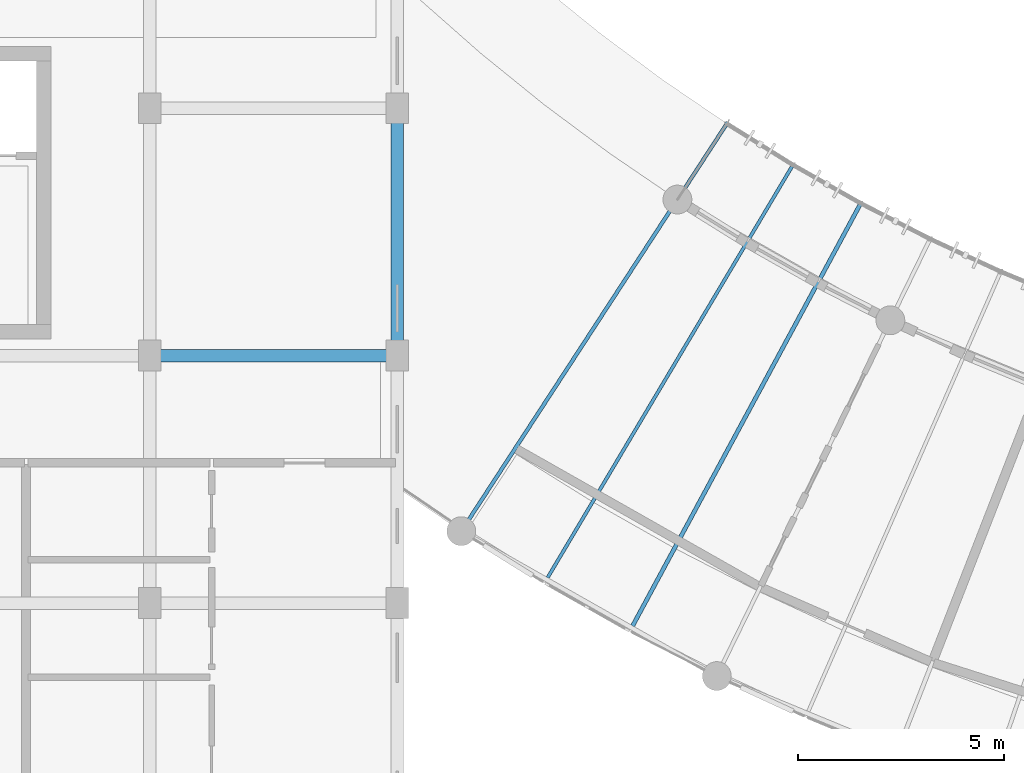
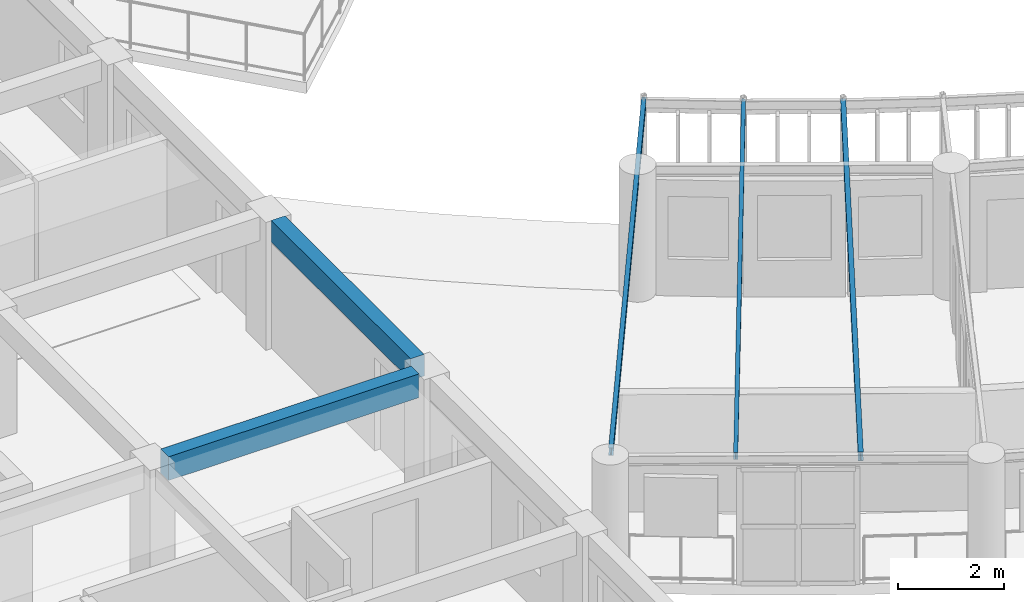
# One storey, part 5 of 123: 5 beams.
"""IFC4 building model written with IfcOpenShell, lengths in metres."""

from ifc_helpers import new_model, si_unit, direction, frame, origin, origin_2d, place, context, subcontext, project, spatial, rectangle, i_section, extrude, material, material_profile, profile_set, type_object, element, save


model = new_model("IFC4")

# Units and contexts
model_context = context("Model", 3, precision=1e-05, world=origin(), true_north=direction((0.0, 1.0)))
body_context = subcontext(model_context, "Body", "Model", "MODEL_VIEW")
ifc_project = project(units=[si_unit("LENGTHUNIT", "METRE"), si_unit("AREAUNIT", "SQUARE_METRE"), si_unit("VOLUMEUNIT", "CUBIC_METRE"), si_unit("PLANEANGLEUNIT", "RADIAN"), si_unit("MASSUNIT", "GRAM", prefix="KILO"), si_unit("POWERUNIT", "WATT"), si_unit("THERMODYNAMICTEMPERATUREUNIT", "KELVIN")], contexts=[model_context])

# Site, building, storey
site_placement = place(None, origin())
site = spatial("IfcSite", under=ifc_project, at=site_placement, CompositionType="ELEMENT")
building_placement = place(site_placement, origin())
building = spatial("IfcBuilding", under=site, at=building_placement, Name="Ruvembo Vaulted Housing Court", CompositionType="ELEMENT")
storey_placement = place(building_placement, frame((0.0, 0.0, 7.699951171875)))
storey = spatial("IfcBuildingStorey", under=building, at=storey_placement, Name="L02", CompositionType="ELEMENT", Elevation=7.699951171875)

# Beams
ifc_material_1 = material(Name="Concrete C35/45", Category="concrete")
ifc_material_profile_1 = material_profile(ifc_material_1, rectangle(XDim=0.300048828125, YDim=0.550048828125, at=origin_2d()), Name="RC 300x550")
ifc_profile_set_1 = profile_set([ifc_material_profile_1], Name="Concrete C35/45")
beam_type_1 = type_object("IfcBeamType", Name="BM-RC-300x550", PredefinedType="BEAM", material=ifc_profile_set_1)
beam_1_placement = place(storey_placement, frame((30.260009765625, 18.0, 2.679931640625), z_axis=(1.0, 0.0, 0.0), x_axis=(0.0, 1.0, 0.0)))
element("IfcBeam", 1, at=beam_1_placement, inside=storey, type_object=beam_type_1, Name="L02 Grid Beam X #1456", PredefinedType="BEAM", context=body_context, shape_type="SweptSolid", body=[
    extrude(rectangle(XDim=0.300048828125, YDim=0.550048828125, at=origin_2d()), origin(), (0.0, 0.0, 1.0), 5.47998046875),
])
ifc_material_2 = material(Name="Steel S355J2", Category="steel")
ifc_material_profile_2 = material_profile(ifc_material_2, i_section(OverallWidth=0.08203125, OverallDepth=0.159912109375, WebThickness=0.0048828125, FlangeThickness=0.00732421875, FilletRadius=0.009033203125, at=origin_2d()), Name="IPE 160")
ifc_profile_set_2 = profile_set([ifc_material_profile_2], Name="Steel S355J2")
beam_type_2 = type_object("IfcBeamType", Name="BM-ST-IPE160", PredefinedType="JOIST", material=ifc_profile_set_2)
beam_2_placement = place(storey_placement, frame((39.644775390625, 12.61376953125, 2.860107421875), z_axis=(0.51095697622, 0.859606286885, 0.0), x_axis=(-0.859606286885, 0.51095697622, 0.0)))
element("IfcBeam", 2, at=beam_2_placement, inside=storey, type_object=beam_type_2, Name="Scoop SC2 L02 Radial Steel Joist 1", PredefinedType="JOIST", context=body_context, shape_type="SweptSolid", body=[
    extrude(i_section(OverallWidth=0.08203125, OverallDepth=0.159912109375, WebThickness=0.0048828125, FlangeThickness=0.00732421875, FilletRadius=0.009033203125, at=origin_2d()), origin(), (0.0, 0.0, 1.0), 11.692138671875),
])
ifc_material_profile_3 = material_profile(ifc_material_2, i_section(OverallWidth=0.091064453125, OverallDepth=0.179931640625, WebThickness=0.00537109375, FlangeThickness=0.008056640625, FilletRadius=0.009033203125, at=origin_2d()), Name="IPE 180")
ifc_profile_set_3 = profile_set([ifc_material_profile_3], Name="Steel S355J2")
beam_type_3 = type_object("IfcBeamType", Name="BM-ST-IPE180", PredefinedType="JOIST", material=ifc_profile_set_3)
beam_3_placement = place(storey_placement, frame((37.677734375, 13.93505859375, 2.85009765625), z_axis=(0.545959206746, 0.837811759627, 0.0), x_axis=(-0.837811759627, 0.545959206746, 0.0)))
element("IfcBeam", 3, at=beam_3_placement, inside=storey, type_object=beam_type_3, Name="Scoop SC2 L02 Radial Steel Joist 0", PredefinedType="JOIST", context=body_context, shape_type="SweptSolid", body=[
    extrude(i_section(OverallWidth=0.091064453125, OverallDepth=0.179931640625, WebThickness=0.00537109375, FlangeThickness=0.008056640625, FilletRadius=0.009033203125, at=origin_2d()), origin(), (0.0, 0.0, 1.0), 11.610107421875),
])
ifc_material_profile_4 = material_profile(ifc_material_2, i_section(OverallWidth=0.10009765625, OverallDepth=0.199951171875, WebThickness=0.005615234375, FlangeThickness=0.008544921875, FilletRadius=0.011962890625, at=origin_2d()), Name="IPE 200")
ifc_profile_set_4 = profile_set([ifc_material_profile_4], Name="Steel S355J2")
beam_type_4 = type_object("IfcBeamType", Name="BM-ST-IPE200", PredefinedType="BEAM", material=ifc_profile_set_4)
beam_4_placement = place(storey_placement, frame((41.70654296875, 11.445068359375, 2.840087890625), z_axis=(0.475065815037, 0.879950266426, 0.0), x_axis=(-0.879950266426, 0.475065815037, 0.0)))
element("IfcBeam", 4, at=beam_4_placement, inside=storey, type_object=beam_type_4, Name="Scoop SC2 L02 Radial Steel Joist 2", PredefinedType="BEAM", context=body_context, shape_type="SweptSolid", body=[
    extrude(i_section(OverallWidth=0.10009765625, OverallDepth=0.199951171875, WebThickness=0.005615234375, FlangeThickness=0.008544921875, FilletRadius=0.011962890625, at=origin_2d()), origin(), (0.0, 0.0, 1.0), 11.69189453125),
])
ifc_material_profile_5 = material_profile(ifc_material_1, rectangle(XDim=0.300048828125, YDim=0.5, at=origin_2d()), Name="RC 300x500")
ifc_profile_set_5 = profile_set([ifc_material_profile_5], Name="Concrete C35/45")
beam_type_5 = type_object("IfcBeamType", Name="SP-RC-300x500", PredefinedType="SPANDREL", material=ifc_profile_set_5)
beam_5_placement = place(storey_placement, frame((36.0, 18.360107421875, 2.705078125), z_axis=(0.0, 1.0, 0.0), x_axis=(-1.0, 0.0, 0.0)))
element("IfcBeam", 5, at=beam_5_placement, inside=storey, type_object=beam_type_5, Name="L02 Grid Beam Y #1600", PredefinedType="SPANDREL", context=body_context, shape_type="SweptSolid", body=[
    extrude(rectangle(XDim=0.300048828125, YDim=0.5, at=origin_2d()), origin(), (0.0, 0.0, 1.0), 5.27978515625),
])

save(model, "model.ifc")
